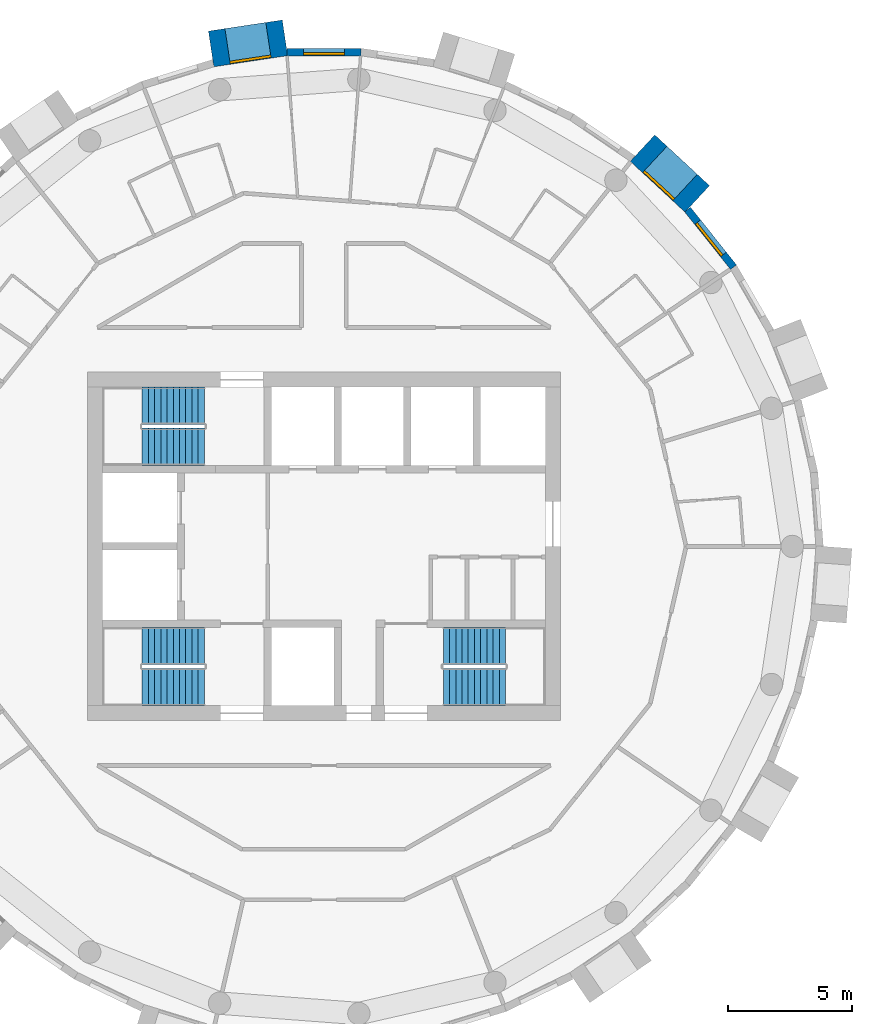
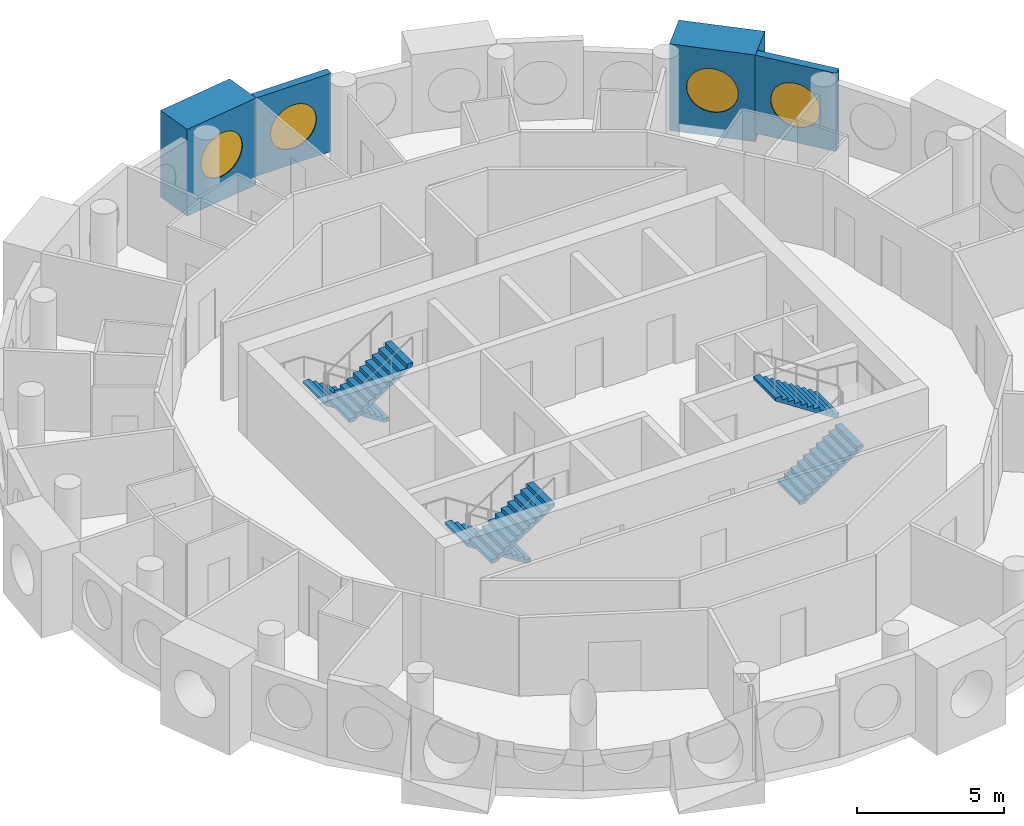
# One storey, part 11 of 12: 6 stair flights, 4 walls, 4 windows, 4 openings, 3 elements without a shape of their own.
"""IFC4 building model written with IfcOpenShell, lengths in metres."""

from ifc_helpers import new_model, si_unit, direction, frame, frame_2d, origin, origin_2d, place, context, subcontext, project, spatial, polyline, rectangle, circle, outline, extrude, material, layer, layer_set, type_object, element, fill, aggregate, save


model = new_model("IFC4")

# Units and contexts
model_context = context("Model", 3, precision=1e-05, world=origin(), true_north=direction((0.0, 1.0)))
body_context = subcontext(model_context, "Body", "Model", "MODEL_VIEW")
ifc_project = project(units=[si_unit("LENGTHUNIT", "METRE"), si_unit("AREAUNIT", "SQUARE_METRE"), si_unit("VOLUMEUNIT", "CUBIC_METRE"), si_unit("PLANEANGLEUNIT", "RADIAN"), si_unit("MASSUNIT", "GRAM", prefix="KILO")], contexts=[model_context])

# Site, building, storey
site_placement = place(None, origin())
site = spatial("IfcSite", under=ifc_project, at=site_placement, CompositionType="ELEMENT")
building_placement = place(site_placement, origin())
building = spatial("IfcBuilding", under=site, at=building_placement, Name="Tracery Tower", CompositionType="ELEMENT")
storey_placement = place(building_placement, frame((0.0, 0.0, 305.39990234375)))
storey = spatial("IfcBuildingStorey", under=building, at=storey_placement, Name="L79", CompositionType="ELEMENT", Elevation=305.39990234375)

# Wall, opening, window
ifc_material_1 = material(Name="Precast concrete C50/60", Category="concrete")
ifc_layer_1 = layer(ifc_material_1, 1.449951171875)
ifc_layer_set_1 = layer_set([ifc_layer_1], Name="Deep-set bay unit 3000 x 3600, slab edge 350")
wall_type_1 = type_object("IfcWallType", Name="Deep-set bay unit 3000 x 3600, slab edge 350", PredefinedType="ELEMENTEDWALL", material=ifc_layer_set_1)
wall_1_placement = place(storey_placement, frame((15.0029296875, 13.964111328125, -0.349853515625), z_axis=(0.0, 0.0, 1.0), x_axis=(-0.733022439167, 0.680204457261, 0.0)))
wall_1 = element("IfcWall", 1, at=wall_1_placement, inside=storey, type_object=wall_type_1, Name="Deep-set bay unit 6 at L79", PredefinedType="ELEMENTEDWALL", context=body_context, shape_type="SweptSolid", body=[
    extrude(rectangle(XDim=2.999755859375, YDim=1.449951171875, at=frame_2d((1.5, 0.0))), origin(), (0.0, 0.0, 1.0), 3.599853515625),
])
opening_1_placement = place(wall_1_placement, frame((1.5, 0.0, 1.89990234375)))
opening_1 = element("IfcOpeningElement", 2, at=opening_1_placement, cuts=wall_1, Name="Opening WN1", PredefinedType="OPENING", context=body_context, shape_type="SweptSolid", body=[
    extrude(circle(Radius=0.9000244140625, at=origin_2d()), frame((0.0, 0.73486328125, 0.0), z_axis=(0.0, -1.0, 0.0), x_axis=(1.0, 0.0, 0.0)), (0.0, 0.0, 1.0), 1.469970703125),
])
ifc_material_2 = material(Name="Aluminium frame with tinted double glazing", Category="aluminium")
window_type = type_object("IfcWindowType", Name="Round window 1800", PartitioningType="SINGLE_PANEL", PredefinedType="WINDOW", material=ifc_material_2)
window_1_placement = place(opening_1_placement, origin())
window_1 = element("IfcWindow", 3, at=window_1_placement, inside=storey, type_object=window_type, Name="Round window 6 at L79", OverallHeight=1.800048828125, OverallWidth=1.800048828125, PartitioningType="SINGLE_PANEL", PredefinedType="WINDOW", context=body_context, shape_type="SweptSolid", body=[
    extrude(circle(Radius=0.9000244140625, at=origin_2d()), frame((0.0, 0.69482421875, 0.0), z_axis=(0.0, -1.0, 0.0), x_axis=(1.0, 0.0, 0.0)), (0.0, 0.0, 1.0), 0.10009765625),
])
fill(opening_1, window_1)

wall_2_placement = place(storey_placement, frame((-1.563232421875, 20.436279296875, -0.349853515625), z_axis=(0.0, 0.0, 1.0), x_axis=(-0.988836445254, -0.149004981587, 0.0)))
wall_2 = element("IfcWall", 4, at=wall_2_placement, inside=storey, type_object=wall_type_1, Name="Deep-set bay unit 12 at L79", PredefinedType="ELEMENTEDWALL", context=body_context, shape_type="SweptSolid", body=[
    extrude(rectangle(XDim=3.0, YDim=1.449951171875, at=frame_2d((1.5, 0.0))), origin(), (0.0, 0.0, 1.0), 3.599853515625),
])
opening_2_placement = place(wall_2_placement, frame((1.5, 0.0, 1.89990234375)))
opening_2 = element("IfcOpeningElement", 5, at=opening_2_placement, cuts=wall_2, Name="Opening WN1", PredefinedType="OPENING", context=body_context, shape_type="SweptSolid", body=[
    extrude(circle(Radius=0.9000244140625, at=origin_2d()), frame((0.0, 0.73486328125, 0.0), z_axis=(0.0, -1.0, 0.0), x_axis=(1.0, 0.0, 0.0)), (0.0, 0.0, 1.0), 1.469970703125),
])
window_2_placement = place(opening_2_placement, origin())
window_2 = element("IfcWindow", 6, at=window_2_placement, inside=storey, type_object=window_type, Name="Round window 12 at L79", OverallHeight=1.800048828125, OverallWidth=1.800048828125, PartitioningType="SINGLE_PANEL", PredefinedType="WINDOW", context=body_context, shape_type="SweptSolid", body=[
    extrude(circle(Radius=0.9000244140625, at=origin_2d()), frame((0.0, 0.69482421875, 0.0), z_axis=(0.0, -1.0, 0.0), x_axis=(1.0, 0.0, 0.0)), (0.0, 0.0, 1.0), 0.10009765625),
])
fill(opening_2, window_2)

ifc_material_3 = material(Name="Precast concrete C50/60", Category="concrete")
ifc_layer_2 = layer(ifc_material_3, 0.300048828125)
ifc_layer_set_2 = layer_set([ifc_layer_2], Name="Facade panel 3000 x 3250")
wall_type_2 = type_object("IfcWallType", Name="Facade panel 3000 x 3250", PredefinedType="SOLIDWALL", material=ifc_layer_set_2)
wall_3_placement = place(storey_placement, frame((16.460205078125, 11.222412109375, 0.0), z_axis=(0.0, 0.0, 1.0), x_axis=(-0.623498236992, 0.781824755599, 0.0)))
wall_3 = element("IfcWall", 7, at=wall_3_placement, inside=storey, type_object=wall_type_2, Name="Facade panel 5 at L79", PredefinedType="SOLIDWALL", context=body_context, shape_type="SweptSolid", body=[
    extrude(rectangle(XDim=2.962158203125, YDim=0.300048828125, at=frame_2d((1.48095703125, 0.0))), origin(), (0.0, 0.0, 1.0), 3.25),
])
opening_3_placement = place(wall_3_placement, frame((1.48095703125, 0.0, 1.5498046875)))
opening_3 = element("IfcOpeningElement", 8, at=opening_3_placement, cuts=wall_3, Name="Opening WN1", PredefinedType="OPENING", context=body_context, shape_type="SweptSolid", body=[
    extrude(circle(Radius=0.9000244140625, at=origin_2d()), frame((0.0, 0.159912109375, 0.0), z_axis=(0.0, -1.0, 0.0), x_axis=(1.0, 0.0, 0.0)), (0.0, 0.0, 1.0), 0.320068359375),
])
window_3_placement = place(opening_3_placement, origin())
window_3 = element("IfcWindow", 9, at=window_3_placement, inside=storey, type_object=window_type, Name="Round window 5 at L79", OverallHeight=1.800048828125, OverallWidth=1.800048828125, PartitioningType="SINGLE_PANEL", PredefinedType="WINDOW", context=body_context, shape_type="SweptSolid", body=[
    extrude(circle(Radius=0.9000244140625, at=origin_2d()), frame((0.0, 0.1201171875, 0.0), z_axis=(0.0, -1.0, 0.0), x_axis=(1.0, 0.0, 0.0)), (0.0, 0.0, 1.0), 0.10009765625),
])
fill(opening_3, window_3)

wall_4_placement = place(storey_placement, frame((1.48876953125, 19.865966796875, 0.0), z_axis=(0.0, 0.0, 1.0), x_axis=(-1.0, 0.0, 0.0)))
wall_4 = element("IfcWall", 10, at=wall_4_placement, inside=storey, type_object=wall_type_2, Name="Facade panel 11 at L79", PredefinedType="SOLIDWALL", context=body_context, shape_type="SweptSolid", body=[
    extrude(rectangle(XDim=2.962158203125, YDim=0.300048828125, at=frame_2d((1.48095703125, 0.0))), origin(), (0.0, 0.0, 1.0), 3.25),
])
opening_4_placement = place(wall_4_placement, frame((1.48095703125, 0.0, 1.5498046875)))
opening_4 = element("IfcOpeningElement", 11, at=opening_4_placement, cuts=wall_4, Name="Opening WN1", PredefinedType="OPENING", context=body_context, shape_type="SweptSolid", body=[
    extrude(circle(Radius=0.9000244140625, at=origin_2d()), frame((0.0, 0.159912109375, 0.0), z_axis=(0.0, -1.0, 0.0), x_axis=(1.0, 0.0, 0.0)), (0.0, 0.0, 1.0), 0.320068359375),
])
window_4_placement = place(opening_4_placement, origin())
window_4 = element("IfcWindow", 12, at=window_4_placement, inside=storey, type_object=window_type, Name="Round window 11 at L79", OverallHeight=1.800048828125, OverallWidth=1.800048828125, PartitioningType="SINGLE_PANEL", PredefinedType="WINDOW", context=body_context, shape_type="SweptSolid", body=[
    extrude(circle(Radius=0.9000244140625, at=origin_2d()), frame((0.0, 0.1201171875, 0.0), z_axis=(0.0, -1.0, 0.0), x_axis=(1.0, 0.0, 0.0)), (0.0, 0.0, 1.0), 0.10009765625),
])
fill(opening_4, window_4)

# Stair, stair flights
ifc_material_4 = material(Name="Concrete C32/40", Category="concrete")
stair_type = type_object("IfcStairType", Name="Core stair 22 risers", PredefinedType="HALF_TURN_STAIR", material=ifc_material_4)
stair_1_placement = place(storey_placement, origin())
stair_1 = element("IfcStair", 13, at=stair_1_placement, inside=storey, type_object=stair_type, Name="L79 stair ST1", PredefinedType="HALF_TURN_STAIR")
ifc_material_5 = material(Name="Concrete C32/40", Category="concrete")
stair_flight_type = type_object("IfcStairFlightType", Name="Core stair flight 11 risers", PredefinedType="STRAIGHT", material=ifc_material_5)
stair_flight_1_placement = place(storey_placement, frame((-4.800048828125, -4.0, 0.0), z_axis=(0.0, 0.0, 1.0), x_axis=(-1.0, 0.0, 0.0)))
stair_flight_1 = element("IfcStairFlight", 14, at=stair_flight_1_placement, type_object=stair_flight_type, Name="ST1 flight 1", NumberOfRisers=11, NumberOfTreads=10, PredefinedType="STRAIGHT", RiserHeight=0.163636364, TreadLength=0.25, context=body_context, shape_type="SweptSolid", body=[
    extrude(outline(polyline([(0.0, 0.0), (0.0, 0.002685546875), (0.0, 0.00537109375), (0.0, 0.008056640625), (0.0, 0.0107421875), (0.0, 0.013427734375), (0.0, 0.01611328125), (0.0, 0.018798828125), (0.0, 0.021484375), (0.0, 0.024169921875), (0.0, 0.02685546875), (0.0, 0.029541015625), (0.0, 0.0322265625), (0.0, 0.034912109375), (0.0, 0.03759765625), (0.0, 0.040283203125), (0.0, 0.04296875), (0.0, 0.045654296875), (0.0, 0.04833984375), (0.0, 0.051025390625), (0.0, 0.0537109375), (0.0, 0.056396484375), (0.0, 0.05908203125), (0.0, 0.061767578125), (0.0, 0.064453125), (0.0, 0.067138671875), (0.0, 0.06982421875), (0.0, 0.072509765625), (0.0, 0.0751953125), (0.0, 0.077880859375), (0.0, 0.08056640625), (0.0, 0.083251953125), (0.0, 0.0859375), (0.0, 0.088623046875), (0.0, 0.09130859375), (0.0, 0.093994140625), (0.0, 0.0966796875), (0.0, 0.099365234375), (0.0, 0.10205078125), (0.0, 0.104736328125), (0.0, 0.107421875), (0.0, 0.10986328125), (0.0, 0.112548828125), (0.0, 0.115234375), (0.0, 0.117919921875), (0.0, 0.12060546875), (0.0, 0.123291015625), (0.0, 0.1259765625), (0.0, 0.128662109375), (0.0, 0.13134765625), (0.0, 0.134033203125), (0.0, 0.13671875), (0.0, 0.139404296875), (0.0, 0.14208984375), (0.0, 0.144775390625), (0.0, 0.1474609375), (0.0, 0.150146484375), (0.0, 0.15283203125), (0.0, 0.155517578125), (0.0, 0.158203125), (0.0, 0.160888671875), (0.0, 0.16357421875), (0.25, 0.16357421875), (0.25, 0.327392578125), (0.5, 0.327392578125), (0.5, 0.490966796875), (0.75, 0.490966796875), (0.75, 0.654541015625), (1.0, 0.654541015625), (1.0, 0.818115234375), (1.25, 0.818115234375), (1.25, 0.98193359375), (1.5, 0.98193359375), (1.5, 1.1455078125), (1.75, 1.1455078125), (1.75, 1.30908203125), (2.0, 1.30908203125), (2.0, 1.47265625), (2.25, 1.47265625), (2.25, 1.636474609375), (2.5, 1.636474609375), (2.5, 1.634521484375), (2.5, 1.63232421875), (2.5, 1.63037109375), (2.5, 1.62841796875), (2.5, 1.62646484375), (2.5, 1.62451171875), (2.5, 1.62255859375), (2.5, 1.62060546875), (2.5, 1.61865234375), (2.5, 1.61669921875), (2.5, 1.61474609375), (2.5, 1.61279296875), (2.5, 1.61083984375), (2.5, 1.60888671875), (2.5, 1.60693359375), (2.5, 1.60498046875), (2.5, 1.60302734375), (2.5, 1.60107421875), (2.5, 1.59912109375), (2.5, 1.59716796875), (2.5, 1.59521484375), (2.5, 1.59326171875), (2.5, 1.59130859375), (2.5, 1.58935546875), (2.5, 1.58740234375), (2.5, 1.58544921875), (2.5, 1.58349609375), (2.5, 1.58154296875), (2.5, 1.57958984375), (2.5, 1.57763671875), (2.5, 1.57568359375), (2.5, 1.573486328125), (2.5, 1.571533203125), (2.5, 1.569580078125), (2.5, 1.567626953125), (2.5, 1.565673828125), (2.5, 1.563720703125), (2.5, 1.561767578125), (2.5, 1.559814453125), (2.5, 1.557861328125), (2.5, 1.555908203125), (2.5, 1.553955078125), (2.5, 1.552001953125), (2.5, 1.550048828125), (2.5, 1.548095703125), (2.5, 1.546142578125), (2.5, 1.544189453125), (2.5, 1.542236328125), (2.5, 1.540283203125), (2.5, 1.538330078125), (2.5, 1.536376953125), (2.5, 1.534423828125), (2.5, 1.532470703125), (2.5, 1.530517578125), (2.5, 1.528564453125), (2.5, 1.526611328125), (2.5, 1.524658203125), (2.5, 1.522705078125), (2.5, 1.520751953125), (2.5, 1.518798828125), (2.5, 1.516845703125), (0.182861328125, 0.0), (0.0, 0.0)])), frame((0.0, 0.75, 0.0), z_axis=(0.0, -1.0, 0.0), x_axis=(1.0, 0.0, 0.0)), (0.0, 0.0, 1.0), 1.5),
])
stair_flight_2_placement = place(storey_placement, frame((-7.300048828125, -5.64990234375, 1.800048828125), z_axis=(0.0, 0.0, 1.0), x_axis=(1.0, 0.0, 0.0)))
stair_flight_2 = element("IfcStairFlight", 15, at=stair_flight_2_placement, type_object=stair_flight_type, Name="ST1 flight 2", NumberOfRisers=11, NumberOfTreads=10, PredefinedType="STRAIGHT", RiserHeight=0.163636364, TreadLength=0.25, context=body_context, shape_type="SweptSolid", body=[
    extrude(outline(polyline([(0.0, 0.0), (0.0, 0.002685546875), (0.0, 0.00537109375), (0.0, 0.008056640625), (0.0, 0.0107421875), (0.0, 0.013427734375), (0.0, 0.01611328125), (0.0, 0.018798828125), (0.0, 0.021484375), (0.0, 0.024169921875), (0.0, 0.02685546875), (0.0, 0.029541015625), (0.0, 0.0322265625), (0.0, 0.034912109375), (0.0, 0.03759765625), (0.0, 0.040283203125), (0.0, 0.04296875), (0.0, 0.045654296875), (0.0, 0.04833984375), (0.0, 0.051025390625), (0.0, 0.0537109375), (0.0, 0.056396484375), (0.0, 0.05908203125), (0.0, 0.061767578125), (0.0, 0.064453125), (0.0, 0.067138671875), (0.0, 0.06982421875), (0.0, 0.072509765625), (0.0, 0.0751953125), (0.0, 0.077880859375), (0.0, 0.08056640625), (0.0, 0.083251953125), (0.0, 0.0859375), (0.0, 0.088623046875), (0.0, 0.09130859375), (0.0, 0.093994140625), (0.0, 0.0966796875), (0.0, 0.099365234375), (0.0, 0.10205078125), (0.0, 0.104736328125), (0.0, 0.107421875), (0.0, 0.10986328125), (0.0, 0.112548828125), (0.0, 0.115234375), (0.0, 0.117919921875), (0.0, 0.12060546875), (0.0, 0.123291015625), (0.0, 0.1259765625), (0.0, 0.128662109375), (0.0, 0.13134765625), (0.0, 0.134033203125), (0.0, 0.13671875), (0.0, 0.139404296875), (0.0, 0.14208984375), (0.0, 0.144775390625), (0.0, 0.1474609375), (0.0, 0.150146484375), (0.0, 0.15283203125), (0.0, 0.155517578125), (0.0, 0.158203125), (0.0, 0.160888671875), (0.0, 0.16357421875), (0.25, 0.16357421875), (0.25, 0.327392578125), (0.5, 0.327392578125), (0.5, 0.490966796875), (0.75, 0.490966796875), (0.75, 0.654541015625), (1.0, 0.654541015625), (1.0, 0.818115234375), (1.25, 0.818115234375), (1.25, 0.98193359375), (1.5, 0.98193359375), (1.5, 1.1455078125), (1.75, 1.1455078125), (1.75, 1.30908203125), (2.0, 1.30908203125), (2.0, 1.47265625), (2.25, 1.47265625), (2.25, 1.636474609375), (2.5, 1.636474609375), (2.5, 1.634521484375), (2.5, 1.63232421875), (2.5, 1.63037109375), (2.5, 1.62841796875), (2.5, 1.62646484375), (2.5, 1.62451171875), (2.5, 1.62255859375), (2.5, 1.62060546875), (2.5, 1.61865234375), (2.5, 1.61669921875), (2.5, 1.61474609375), (2.5, 1.61279296875), (2.5, 1.61083984375), (2.5, 1.60888671875), (2.5, 1.60693359375), (2.5, 1.60498046875), (2.5, 1.60302734375), (2.5, 1.60107421875), (2.5, 1.59912109375), (2.5, 1.59716796875), (2.5, 1.59521484375), (2.5, 1.59326171875), (2.5, 1.59130859375), (2.5, 1.58935546875), (2.5, 1.58740234375), (2.5, 1.58544921875), (2.5, 1.58349609375), (2.5, 1.58154296875), (2.5, 1.57958984375), (2.5, 1.57763671875), (2.5, 1.57568359375), (2.5, 1.573486328125), (2.5, 1.571533203125), (2.5, 1.569580078125), (2.5, 1.567626953125), (2.5, 1.565673828125), (2.5, 1.563720703125), (2.5, 1.561767578125), (2.5, 1.559814453125), (2.5, 1.557861328125), (2.5, 1.555908203125), (2.5, 1.553955078125), (2.5, 1.552001953125), (2.5, 1.550048828125), (2.5, 1.548095703125), (2.5, 1.546142578125), (2.5, 1.544189453125), (2.5, 1.542236328125), (2.5, 1.540283203125), (2.5, 1.538330078125), (2.5, 1.536376953125), (2.5, 1.534423828125), (2.5, 1.532470703125), (2.5, 1.530517578125), (2.5, 1.528564453125), (2.5, 1.526611328125), (2.5, 1.524658203125), (2.5, 1.522705078125), (2.5, 1.520751953125), (2.5, 1.518798828125), (2.5, 1.516845703125), (0.182861328125, 0.0), (0.0, 0.0)])), frame((0.0, 0.75, 0.0), z_axis=(0.0, -1.0, 0.0), x_axis=(1.0, 0.0, 0.0)), (0.0, 0.0, 1.0), 1.5),
])
aggregate(stair_1, [stair_flight_1, stair_flight_2])

stair_2_placement = place(storey_placement, origin())
stair_2 = element("IfcStair", 16, at=stair_2_placement, inside=storey, type_object=stair_type, Name="L79 stair ST3", PredefinedType="HALF_TURN_STAIR")
stair_flight_3_placement = place(storey_placement, frame((-4.800048828125, 5.64990234375, 0.0), z_axis=(0.0, 0.0, 1.0), x_axis=(-1.0, 0.0, 0.0)))
stair_flight_3 = element("IfcStairFlight", 17, at=stair_flight_3_placement, type_object=stair_flight_type, Name="ST3 flight 1", NumberOfRisers=11, NumberOfTreads=10, PredefinedType="STRAIGHT", RiserHeight=0.163636364, TreadLength=0.25, context=body_context, shape_type="SweptSolid", body=[
    extrude(outline(polyline([(0.0, 0.0), (0.0, 0.002685546875), (0.0, 0.00537109375), (0.0, 0.008056640625), (0.0, 0.0107421875), (0.0, 0.013427734375), (0.0, 0.01611328125), (0.0, 0.018798828125), (0.0, 0.021484375), (0.0, 0.024169921875), (0.0, 0.02685546875), (0.0, 0.029541015625), (0.0, 0.0322265625), (0.0, 0.034912109375), (0.0, 0.03759765625), (0.0, 0.040283203125), (0.0, 0.04296875), (0.0, 0.045654296875), (0.0, 0.04833984375), (0.0, 0.051025390625), (0.0, 0.0537109375), (0.0, 0.056396484375), (0.0, 0.05908203125), (0.0, 0.061767578125), (0.0, 0.064453125), (0.0, 0.067138671875), (0.0, 0.06982421875), (0.0, 0.072509765625), (0.0, 0.0751953125), (0.0, 0.077880859375), (0.0, 0.08056640625), (0.0, 0.083251953125), (0.0, 0.0859375), (0.0, 0.088623046875), (0.0, 0.09130859375), (0.0, 0.093994140625), (0.0, 0.0966796875), (0.0, 0.099365234375), (0.0, 0.10205078125), (0.0, 0.104736328125), (0.0, 0.107421875), (0.0, 0.10986328125), (0.0, 0.112548828125), (0.0, 0.115234375), (0.0, 0.117919921875), (0.0, 0.12060546875), (0.0, 0.123291015625), (0.0, 0.1259765625), (0.0, 0.128662109375), (0.0, 0.13134765625), (0.0, 0.134033203125), (0.0, 0.13671875), (0.0, 0.139404296875), (0.0, 0.14208984375), (0.0, 0.144775390625), (0.0, 0.1474609375), (0.0, 0.150146484375), (0.0, 0.15283203125), (0.0, 0.155517578125), (0.0, 0.158203125), (0.0, 0.160888671875), (0.0, 0.16357421875), (0.25, 0.16357421875), (0.25, 0.327392578125), (0.5, 0.327392578125), (0.5, 0.490966796875), (0.75, 0.490966796875), (0.75, 0.654541015625), (1.0, 0.654541015625), (1.0, 0.818115234375), (1.25, 0.818115234375), (1.25, 0.98193359375), (1.5, 0.98193359375), (1.5, 1.1455078125), (1.75, 1.1455078125), (1.75, 1.30908203125), (2.0, 1.30908203125), (2.0, 1.47265625), (2.25, 1.47265625), (2.25, 1.636474609375), (2.5, 1.636474609375), (2.5, 1.634521484375), (2.5, 1.63232421875), (2.5, 1.63037109375), (2.5, 1.62841796875), (2.5, 1.62646484375), (2.5, 1.62451171875), (2.5, 1.62255859375), (2.5, 1.62060546875), (2.5, 1.61865234375), (2.5, 1.61669921875), (2.5, 1.61474609375), (2.5, 1.61279296875), (2.5, 1.61083984375), (2.5, 1.60888671875), (2.5, 1.60693359375), (2.5, 1.60498046875), (2.5, 1.60302734375), (2.5, 1.60107421875), (2.5, 1.59912109375), (2.5, 1.59716796875), (2.5, 1.59521484375), (2.5, 1.59326171875), (2.5, 1.59130859375), (2.5, 1.58935546875), (2.5, 1.58740234375), (2.5, 1.58544921875), (2.5, 1.58349609375), (2.5, 1.58154296875), (2.5, 1.57958984375), (2.5, 1.57763671875), (2.5, 1.57568359375), (2.5, 1.573486328125), (2.5, 1.571533203125), (2.5, 1.569580078125), (2.5, 1.567626953125), (2.5, 1.565673828125), (2.5, 1.563720703125), (2.5, 1.561767578125), (2.5, 1.559814453125), (2.5, 1.557861328125), (2.5, 1.555908203125), (2.5, 1.553955078125), (2.5, 1.552001953125), (2.5, 1.550048828125), (2.5, 1.548095703125), (2.5, 1.546142578125), (2.5, 1.544189453125), (2.5, 1.542236328125), (2.5, 1.540283203125), (2.5, 1.538330078125), (2.5, 1.536376953125), (2.5, 1.534423828125), (2.5, 1.532470703125), (2.5, 1.530517578125), (2.5, 1.528564453125), (2.5, 1.526611328125), (2.5, 1.524658203125), (2.5, 1.522705078125), (2.5, 1.520751953125), (2.5, 1.518798828125), (2.5, 1.516845703125), (0.182861328125, 0.0), (0.0, 0.0)])), frame((0.0, 0.75, 0.0), z_axis=(0.0, -1.0, 0.0), x_axis=(1.0, 0.0, 0.0)), (0.0, 0.0, 1.0), 1.5),
])
stair_flight_4_placement = place(storey_placement, frame((-7.300048828125, 4.0, 1.800048828125), z_axis=(0.0, 0.0, 1.0), x_axis=(1.0, 0.0, 0.0)))
stair_flight_4 = element("IfcStairFlight", 18, at=stair_flight_4_placement, type_object=stair_flight_type, Name="ST3 flight 2", NumberOfRisers=11, NumberOfTreads=10, PredefinedType="STRAIGHT", RiserHeight=0.163636364, TreadLength=0.25, context=body_context, shape_type="SweptSolid", body=[
    extrude(outline(polyline([(0.0, 0.0), (0.0, 0.002685546875), (0.0, 0.00537109375), (0.0, 0.008056640625), (0.0, 0.0107421875), (0.0, 0.013427734375), (0.0, 0.01611328125), (0.0, 0.018798828125), (0.0, 0.021484375), (0.0, 0.024169921875), (0.0, 0.02685546875), (0.0, 0.029541015625), (0.0, 0.0322265625), (0.0, 0.034912109375), (0.0, 0.03759765625), (0.0, 0.040283203125), (0.0, 0.04296875), (0.0, 0.045654296875), (0.0, 0.04833984375), (0.0, 0.051025390625), (0.0, 0.0537109375), (0.0, 0.056396484375), (0.0, 0.05908203125), (0.0, 0.061767578125), (0.0, 0.064453125), (0.0, 0.067138671875), (0.0, 0.06982421875), (0.0, 0.072509765625), (0.0, 0.0751953125), (0.0, 0.077880859375), (0.0, 0.08056640625), (0.0, 0.083251953125), (0.0, 0.0859375), (0.0, 0.088623046875), (0.0, 0.09130859375), (0.0, 0.093994140625), (0.0, 0.0966796875), (0.0, 0.099365234375), (0.0, 0.10205078125), (0.0, 0.104736328125), (0.0, 0.107421875), (0.0, 0.10986328125), (0.0, 0.112548828125), (0.0, 0.115234375), (0.0, 0.117919921875), (0.0, 0.12060546875), (0.0, 0.123291015625), (0.0, 0.1259765625), (0.0, 0.128662109375), (0.0, 0.13134765625), (0.0, 0.134033203125), (0.0, 0.13671875), (0.0, 0.139404296875), (0.0, 0.14208984375), (0.0, 0.144775390625), (0.0, 0.1474609375), (0.0, 0.150146484375), (0.0, 0.15283203125), (0.0, 0.155517578125), (0.0, 0.158203125), (0.0, 0.160888671875), (0.0, 0.16357421875), (0.25, 0.16357421875), (0.25, 0.327392578125), (0.5, 0.327392578125), (0.5, 0.490966796875), (0.75, 0.490966796875), (0.75, 0.654541015625), (1.0, 0.654541015625), (1.0, 0.818115234375), (1.25, 0.818115234375), (1.25, 0.98193359375), (1.5, 0.98193359375), (1.5, 1.1455078125), (1.75, 1.1455078125), (1.75, 1.30908203125), (2.0, 1.30908203125), (2.0, 1.47265625), (2.25, 1.47265625), (2.25, 1.636474609375), (2.5, 1.636474609375), (2.5, 1.634521484375), (2.5, 1.63232421875), (2.5, 1.63037109375), (2.5, 1.62841796875), (2.5, 1.62646484375), (2.5, 1.62451171875), (2.5, 1.62255859375), (2.5, 1.62060546875), (2.5, 1.61865234375), (2.5, 1.61669921875), (2.5, 1.61474609375), (2.5, 1.61279296875), (2.5, 1.61083984375), (2.5, 1.60888671875), (2.5, 1.60693359375), (2.5, 1.60498046875), (2.5, 1.60302734375), (2.5, 1.60107421875), (2.5, 1.59912109375), (2.5, 1.59716796875), (2.5, 1.59521484375), (2.5, 1.59326171875), (2.5, 1.59130859375), (2.5, 1.58935546875), (2.5, 1.58740234375), (2.5, 1.58544921875), (2.5, 1.58349609375), (2.5, 1.58154296875), (2.5, 1.57958984375), (2.5, 1.57763671875), (2.5, 1.57568359375), (2.5, 1.573486328125), (2.5, 1.571533203125), (2.5, 1.569580078125), (2.5, 1.567626953125), (2.5, 1.565673828125), (2.5, 1.563720703125), (2.5, 1.561767578125), (2.5, 1.559814453125), (2.5, 1.557861328125), (2.5, 1.555908203125), (2.5, 1.553955078125), (2.5, 1.552001953125), (2.5, 1.550048828125), (2.5, 1.548095703125), (2.5, 1.546142578125), (2.5, 1.544189453125), (2.5, 1.542236328125), (2.5, 1.540283203125), (2.5, 1.538330078125), (2.5, 1.536376953125), (2.5, 1.534423828125), (2.5, 1.532470703125), (2.5, 1.530517578125), (2.5, 1.528564453125), (2.5, 1.526611328125), (2.5, 1.524658203125), (2.5, 1.522705078125), (2.5, 1.520751953125), (2.5, 1.518798828125), (2.5, 1.516845703125), (0.182861328125, 0.0), (0.0, 0.0)])), frame((0.0, 0.75, 0.0), z_axis=(0.0, -1.0, 0.0), x_axis=(1.0, 0.0, 0.0)), (0.0, 0.0, 1.0), 1.5),
])
aggregate(stair_2, [stair_flight_3, stair_flight_4])

stair_3_placement = place(storey_placement, origin())
stair_3 = element("IfcStair", 19, at=stair_3_placement, inside=storey, type_object=stair_type, Name="L79 stair ST2", PredefinedType="HALF_TURN_STAIR")
stair_flight_5_placement = place(storey_placement, frame((4.800048828125, -5.64990234375, 0.0), z_axis=(0.0, 0.0, 1.0), x_axis=(1.0, 0.0, 0.0)))
stair_flight_5 = element("IfcStairFlight", 20, at=stair_flight_5_placement, type_object=stair_flight_type, Name="ST2 flight 1", NumberOfRisers=11, NumberOfTreads=10, PredefinedType="STRAIGHT", RiserHeight=0.163636364, TreadLength=0.25, context=body_context, shape_type="SweptSolid", body=[
    extrude(outline(polyline([(0.0, 0.0), (0.0, 0.002685546875), (0.0, 0.00537109375), (0.0, 0.008056640625), (0.0, 0.0107421875), (0.0, 0.013427734375), (0.0, 0.01611328125), (0.0, 0.018798828125), (0.0, 0.021484375), (0.0, 0.024169921875), (0.0, 0.02685546875), (0.0, 0.029541015625), (0.0, 0.0322265625), (0.0, 0.034912109375), (0.0, 0.03759765625), (0.0, 0.040283203125), (0.0, 0.04296875), (0.0, 0.045654296875), (0.0, 0.04833984375), (0.0, 0.051025390625), (0.0, 0.0537109375), (0.0, 0.056396484375), (0.0, 0.05908203125), (0.0, 0.061767578125), (0.0, 0.064453125), (0.0, 0.067138671875), (0.0, 0.06982421875), (0.0, 0.072509765625), (0.0, 0.0751953125), (0.0, 0.077880859375), (0.0, 0.08056640625), (0.0, 0.083251953125), (0.0, 0.0859375), (0.0, 0.088623046875), (0.0, 0.09130859375), (0.0, 0.093994140625), (0.0, 0.0966796875), (0.0, 0.099365234375), (0.0, 0.10205078125), (0.0, 0.104736328125), (0.0, 0.107421875), (0.0, 0.10986328125), (0.0, 0.112548828125), (0.0, 0.115234375), (0.0, 0.117919921875), (0.0, 0.12060546875), (0.0, 0.123291015625), (0.0, 0.1259765625), (0.0, 0.128662109375), (0.0, 0.13134765625), (0.0, 0.134033203125), (0.0, 0.13671875), (0.0, 0.139404296875), (0.0, 0.14208984375), (0.0, 0.144775390625), (0.0, 0.1474609375), (0.0, 0.150146484375), (0.0, 0.15283203125), (0.0, 0.155517578125), (0.0, 0.158203125), (0.0, 0.160888671875), (0.0, 0.16357421875), (0.25, 0.16357421875), (0.25, 0.327392578125), (0.5, 0.327392578125), (0.5, 0.490966796875), (0.75, 0.490966796875), (0.75, 0.654541015625), (1.0, 0.654541015625), (1.0, 0.818115234375), (1.25, 0.818115234375), (1.25, 0.98193359375), (1.5, 0.98193359375), (1.5, 1.1455078125), (1.75, 1.1455078125), (1.75, 1.30908203125), (2.0, 1.30908203125), (2.0, 1.47265625), (2.25, 1.47265625), (2.25, 1.636474609375), (2.5, 1.636474609375), (2.5, 1.634521484375), (2.5, 1.63232421875), (2.5, 1.63037109375), (2.5, 1.62841796875), (2.5, 1.62646484375), (2.5, 1.62451171875), (2.5, 1.62255859375), (2.5, 1.62060546875), (2.5, 1.61865234375), (2.5, 1.61669921875), (2.5, 1.61474609375), (2.5, 1.61279296875), (2.5, 1.61083984375), (2.5, 1.60888671875), (2.5, 1.60693359375), (2.5, 1.60498046875), (2.5, 1.60302734375), (2.5, 1.60107421875), (2.5, 1.59912109375), (2.5, 1.59716796875), (2.5, 1.59521484375), (2.5, 1.59326171875), (2.5, 1.59130859375), (2.5, 1.58935546875), (2.5, 1.58740234375), (2.5, 1.58544921875), (2.5, 1.58349609375), (2.5, 1.58154296875), (2.5, 1.57958984375), (2.5, 1.57763671875), (2.5, 1.57568359375), (2.5, 1.573486328125), (2.5, 1.571533203125), (2.5, 1.569580078125), (2.5, 1.567626953125), (2.5, 1.565673828125), (2.5, 1.563720703125), (2.5, 1.561767578125), (2.5, 1.559814453125), (2.5, 1.557861328125), (2.5, 1.555908203125), (2.5, 1.553955078125), (2.5, 1.552001953125), (2.5, 1.550048828125), (2.5, 1.548095703125), (2.5, 1.546142578125), (2.5, 1.544189453125), (2.5, 1.542236328125), (2.5, 1.540283203125), (2.5, 1.538330078125), (2.5, 1.536376953125), (2.5, 1.534423828125), (2.5, 1.532470703125), (2.5, 1.530517578125), (2.5, 1.528564453125), (2.5, 1.526611328125), (2.5, 1.524658203125), (2.5, 1.522705078125), (2.5, 1.520751953125), (2.5, 1.518798828125), (2.5, 1.516845703125), (0.182861328125, 0.0), (0.0, 0.0)])), frame((0.0, 0.75, 0.0), z_axis=(0.0, -1.0, 0.0), x_axis=(1.0, 0.0, 0.0)), (0.0, 0.0, 1.0), 1.5),
])
stair_flight_6_placement = place(storey_placement, frame((7.300048828125, -4.0, 1.800048828125), z_axis=(0.0, 0.0, 1.0), x_axis=(-1.0, 0.0, 0.0)))
stair_flight_6 = element("IfcStairFlight", 21, at=stair_flight_6_placement, type_object=stair_flight_type, Name="ST2 flight 2", NumberOfRisers=11, NumberOfTreads=10, PredefinedType="STRAIGHT", RiserHeight=0.163636364, TreadLength=0.25, context=body_context, shape_type="SweptSolid", body=[
    extrude(outline(polyline([(0.0, 0.0), (0.0, 0.002685546875), (0.0, 0.00537109375), (0.0, 0.008056640625), (0.0, 0.0107421875), (0.0, 0.013427734375), (0.0, 0.01611328125), (0.0, 0.018798828125), (0.0, 0.021484375), (0.0, 0.024169921875), (0.0, 0.02685546875), (0.0, 0.029541015625), (0.0, 0.0322265625), (0.0, 0.034912109375), (0.0, 0.03759765625), (0.0, 0.040283203125), (0.0, 0.04296875), (0.0, 0.045654296875), (0.0, 0.04833984375), (0.0, 0.051025390625), (0.0, 0.0537109375), (0.0, 0.056396484375), (0.0, 0.05908203125), (0.0, 0.061767578125), (0.0, 0.064453125), (0.0, 0.067138671875), (0.0, 0.06982421875), (0.0, 0.072509765625), (0.0, 0.0751953125), (0.0, 0.077880859375), (0.0, 0.08056640625), (0.0, 0.083251953125), (0.0, 0.0859375), (0.0, 0.088623046875), (0.0, 0.09130859375), (0.0, 0.093994140625), (0.0, 0.0966796875), (0.0, 0.099365234375), (0.0, 0.10205078125), (0.0, 0.104736328125), (0.0, 0.107421875), (0.0, 0.10986328125), (0.0, 0.112548828125), (0.0, 0.115234375), (0.0, 0.117919921875), (0.0, 0.12060546875), (0.0, 0.123291015625), (0.0, 0.1259765625), (0.0, 0.128662109375), (0.0, 0.13134765625), (0.0, 0.134033203125), (0.0, 0.13671875), (0.0, 0.139404296875), (0.0, 0.14208984375), (0.0, 0.144775390625), (0.0, 0.1474609375), (0.0, 0.150146484375), (0.0, 0.15283203125), (0.0, 0.155517578125), (0.0, 0.158203125), (0.0, 0.160888671875), (0.0, 0.16357421875), (0.25, 0.16357421875), (0.25, 0.327392578125), (0.5, 0.327392578125), (0.5, 0.490966796875), (0.75, 0.490966796875), (0.75, 0.654541015625), (1.0, 0.654541015625), (1.0, 0.818115234375), (1.25, 0.818115234375), (1.25, 0.98193359375), (1.5, 0.98193359375), (1.5, 1.1455078125), (1.75, 1.1455078125), (1.75, 1.30908203125), (2.0, 1.30908203125), (2.0, 1.47265625), (2.25, 1.47265625), (2.25, 1.636474609375), (2.5, 1.636474609375), (2.5, 1.634521484375), (2.5, 1.63232421875), (2.5, 1.63037109375), (2.5, 1.62841796875), (2.5, 1.62646484375), (2.5, 1.62451171875), (2.5, 1.62255859375), (2.5, 1.62060546875), (2.5, 1.61865234375), (2.5, 1.61669921875), (2.5, 1.61474609375), (2.5, 1.61279296875), (2.5, 1.61083984375), (2.5, 1.60888671875), (2.5, 1.60693359375), (2.5, 1.60498046875), (2.5, 1.60302734375), (2.5, 1.60107421875), (2.5, 1.59912109375), (2.5, 1.59716796875), (2.5, 1.59521484375), (2.5, 1.59326171875), (2.5, 1.59130859375), (2.5, 1.58935546875), (2.5, 1.58740234375), (2.5, 1.58544921875), (2.5, 1.58349609375), (2.5, 1.58154296875), (2.5, 1.57958984375), (2.5, 1.57763671875), (2.5, 1.57568359375), (2.5, 1.573486328125), (2.5, 1.571533203125), (2.5, 1.569580078125), (2.5, 1.567626953125), (2.5, 1.565673828125), (2.5, 1.563720703125), (2.5, 1.561767578125), (2.5, 1.559814453125), (2.5, 1.557861328125), (2.5, 1.555908203125), (2.5, 1.553955078125), (2.5, 1.552001953125), (2.5, 1.550048828125), (2.5, 1.548095703125), (2.5, 1.546142578125), (2.5, 1.544189453125), (2.5, 1.542236328125), (2.5, 1.540283203125), (2.5, 1.538330078125), (2.5, 1.536376953125), (2.5, 1.534423828125), (2.5, 1.532470703125), (2.5, 1.530517578125), (2.5, 1.528564453125), (2.5, 1.526611328125), (2.5, 1.524658203125), (2.5, 1.522705078125), (2.5, 1.520751953125), (2.5, 1.518798828125), (2.5, 1.516845703125), (0.182861328125, 0.0), (0.0, 0.0)])), frame((0.0, 0.75, 0.0), z_axis=(0.0, -1.0, 0.0), x_axis=(1.0, 0.0, 0.0)), (0.0, 0.0, 1.0), 1.5),
])
aggregate(stair_3, [stair_flight_5, stair_flight_6])

save(model, "model.ifc")
